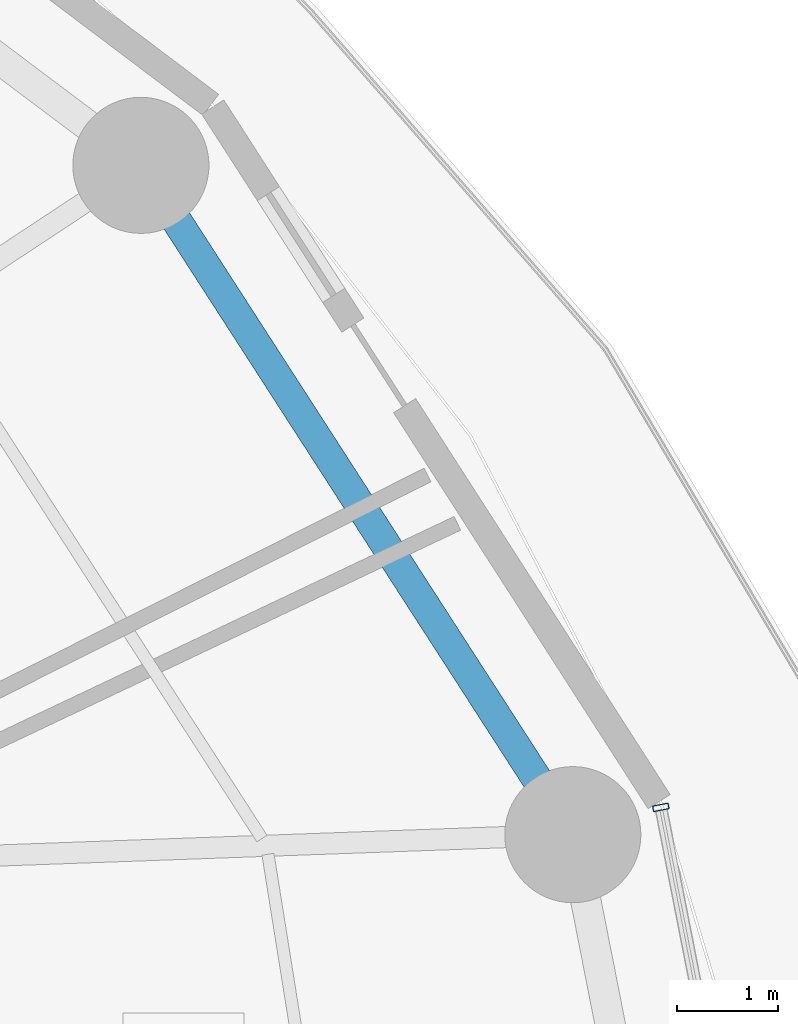
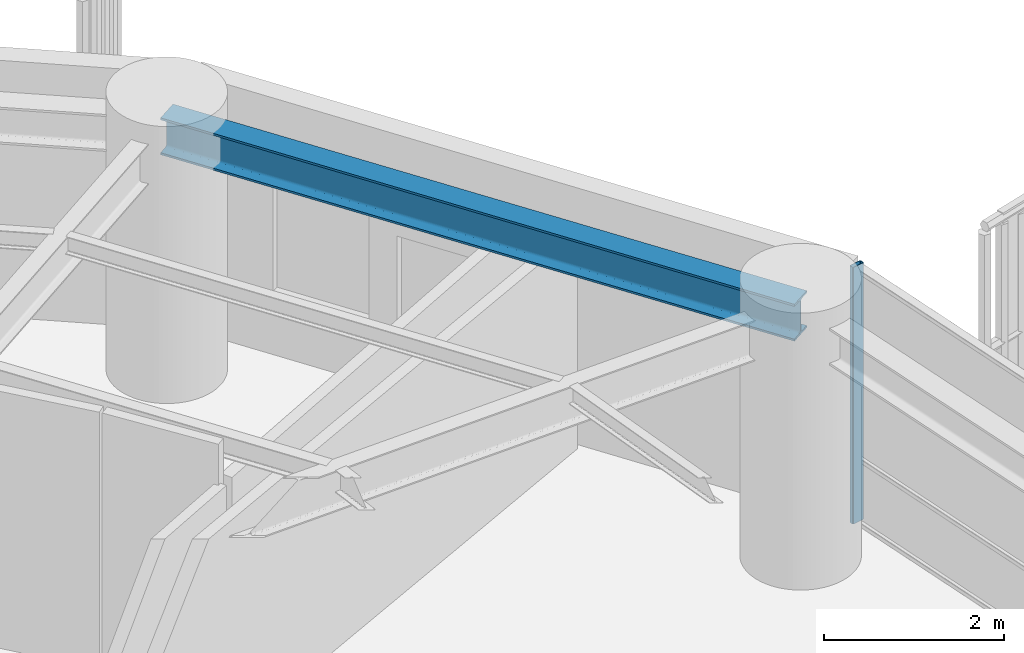
# One storey, part 25 of 36: 1 beam, 1 member, 1 element without a shape of its own.
"""IFC4 building model written with IfcOpenShell, lengths in metres."""

from ifc_helpers import new_model, si_unit, direction, frame, origin, origin_2d, place, context, subcontext, project, spatial, hollow_rectangle, i_section, extrude, material, layer, layer_set, material_profile, profile_set, type_object, element, aggregate, save


model = new_model("IFC4")

# Units and contexts
model_context = context("Model", 3, precision=1e-05, world=origin(), true_north=direction((0.0, 1.0)))
body_context = subcontext(model_context, "Body", "Model", "MODEL_VIEW")
ifc_project = project(units=[si_unit("LENGTHUNIT", "METRE"), si_unit("AREAUNIT", "SQUARE_METRE"), si_unit("VOLUMEUNIT", "CUBIC_METRE"), si_unit("PLANEANGLEUNIT", "RADIAN"), si_unit("MASSUNIT", "GRAM", prefix="KILO")], contexts=[model_context])

# Site, building, storey
site_placement = place(None, origin())
site = spatial("IfcSite", under=ifc_project, at=site_placement, CompositionType="ELEMENT")
building_placement = place(site_placement, origin())
building = spatial("IfcBuilding", under=site, at=building_placement, Name="Kelanora Arch Commons", CompositionType="ELEMENT")
storey_placement = place(building_placement, frame((0.0, 0.0, 98.85009765625)))
storey = spatial("IfcBuildingStorey", under=building, at=storey_placement, Name="L25", CompositionType="ELEMENT", Elevation=98.85009765625)

# Beam
ifc_material_1 = material(Name="Steel S355", Category="steel")
ifc_material_profile_1 = material_profile(ifc_material_1, i_section(OverallWidth=0.300048828125, OverallDepth=0.5, WebThickness=0.014404296875, FlangeThickness=0.028076171875, FilletRadius=0.027099609375, at=origin_2d()), Name="HEB500")
ifc_profile_set_1 = profile_set([ifc_material_profile_1], Name="Steel S355")
beam_type = type_object("IfcBeamType", Name="BM-SPN-Z2", PredefinedType="SPANDREL", material=ifc_profile_set_1)
beam_placement = place(storey_placement, frame((97.191650390625, 65.5517578125, 3.239990234375), z_axis=(-0.542221144054, 0.840235818649, 0.0), x_axis=(-0.840235818649, -0.542221144054, 0.0)))
element("IfcBeam", 1, at=beam_placement, inside=storey, type_object=beam_type, Name="Perimeter Spandrel Beam BS-02 L25", PredefinedType="SPANDREL", context=body_context, shape_type="SweptSolid", body=[
    extrude(i_section(OverallWidth=0.300048828125, OverallDepth=0.5, WebThickness=0.014404296875, FlangeThickness=0.028076171875, FilletRadius=0.027099609375, at=origin_2d()), origin(), (0.0, 0.0, 1.0), 7.90380859375),
])

# Curtain wall, member
ifc_material_2 = material(Name="Terracotta ceramic-fritted low-E glass and aluminium", Category="masonry")
ifc_layer = layer(ifc_material_2, 0.159912109375)
ifc_layer_set = layer_set([ifc_layer], Name="Terracotta ceramic-fritted low-E glass and aluminium")
curtain_wall_type = type_object("IfcCurtainWallType", Name="CW-SYS-01", PredefinedType="NOTDEFINED", material=ifc_layer_set)
curtain_wall_placement = place(storey_placement, origin())
curtain_wall = element("IfcCurtainWall", 2, at=curtain_wall_placement, inside=storey, type_object=curtain_wall_type, Name="Unitised Curtain Wall L25-B00", PredefinedType="NOTDEFINED")
ifc_material_3 = material(Name="Powder-coated aluminium terracotta", Category="masonry")
ifc_material_profile_2 = material_profile(ifc_material_3, hollow_rectangle(XDim=0.159912109375, YDim=0.06005859375, WallThickness=0.0048828125, InnerFilletRadius=0.0048828125, OuterFilletRadius=0.010009765625, at=origin_2d()), Name="CWM160x60")
ifc_profile_set_2 = profile_set([ifc_material_profile_2], Name="Powder-coated aluminium terracotta")
member_type = type_object("IfcMemberType", Name="CWM-STD", PredefinedType="MULLION", material=ifc_profile_set_2)
member_placement = place(storey_placement, frame((98.064697265625, 65.822265625, 0.0), z_axis=(0.0, 0.0, 1.0), x_axis=(-0.981280311646, -0.192584916272, 0.0)))
member = element("IfcMember", 3, at=member_placement, type_object=member_type, Name="CW-01 mullion 3", PredefinedType="MULLION", context=body_context, shape_type="SweptSolid", body=[
    extrude(hollow_rectangle(XDim=0.159912109375, YDim=0.06005859375, WallThickness=0.0048828125, InnerFilletRadius=0.0048828125, OuterFilletRadius=0.010009765625, at=origin_2d()), origin(), (0.0, 0.0, 1.0), 3.474853515625),
])
aggregate(curtain_wall, [member])

save(model, "model.ifc")
